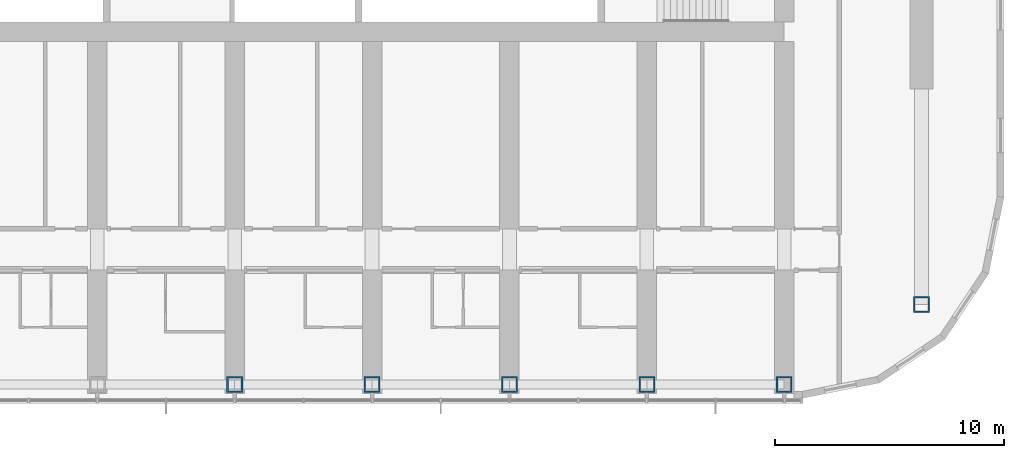
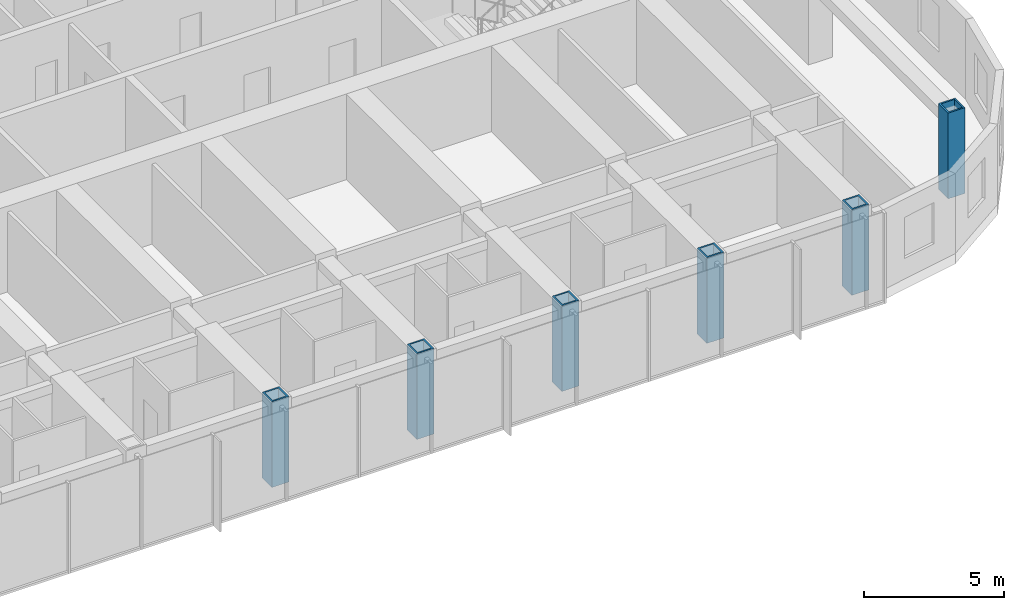
# One storey, part 3 of 29: 6 columns.
"""IFC4 building model written with IfcOpenShell, lengths in metres."""

from ifc_helpers import new_model, si_unit, direction, frame, origin, origin_2d, place, context, subcontext, project, spatial, hollow_rectangle, extrude, material, material_profile, profile_set, type_object, element, save


model = new_model("IFC4")

# Units and contexts
model_context = context("Model", 3, precision=1e-05, world=origin(), true_north=direction((0.0, 1.0)))
body_context = subcontext(model_context, "Body", "Model", "MODEL_VIEW")
ifc_project = project(units=[si_unit("LENGTHUNIT", "METRE"), si_unit("AREAUNIT", "SQUARE_METRE"), si_unit("VOLUMEUNIT", "CUBIC_METRE"), si_unit("PLANEANGLEUNIT", "RADIAN"), si_unit("MASSUNIT", "GRAM", prefix="KILO")], contexts=[model_context])

# Site, building, storey
site_placement = place(None, origin())
site = spatial("IfcSite", under=ifc_project, at=site_placement, CompositionType="ELEMENT")
building_placement = place(site_placement, origin())
building = spatial("IfcBuilding", under=site, at=building_placement, Name="Orbita Commons", CompositionType="ELEMENT")
storey_placement = place(building_placement, frame((0.0, 0.0, 148.60009765625)))
storey = spatial("IfcBuildingStorey", under=building, at=storey_placement, Name="L36", CompositionType="ELEMENT", Elevation=148.60009765625)

# Columns
ifc_material = material(Name="Steel ASTM A572 Gr 50 welded plate", Category="steel")
ifc_material_profile = material_profile(ifc_material, hollow_rectangle(XDim=0.699951171875, YDim=0.699951171875, WallThickness=0.070068359375, at=origin_2d()), Name="BOX 700x700x70")
ifc_profile_set = profile_set([ifc_material_profile], Name="Steel ASTM A572 Gr 50 welded plate")
column_type = type_object("IfcColumnType", Name="Steel column BOX 700x700x70", PredefinedType="COLUMN", material=ifc_profile_set)
for number, where, z_axis, x_axis, name in (
    (1, (42.0, 10.39990234375, 0.0), (0.0, 0.0, 1.0), (1.0, 0.0, 0.0), "Column 8/B L36"),
    (2, (48.0, 10.39990234375, 0.0), (0.0, 0.0, 1.0), (1.0, 0.0, 0.0), "Column 9/B L36"),
    (3, (54.0, 10.39990234375, 0.0), (0.0, 0.0, 1.0), (1.0, 0.0, 0.0), "Column 10/B L36"),
    (4, (60.0, 10.39990234375, 0.0), (0.0, 0.0, 1.0), (1.0, 0.0, 0.0), "Column 11/B L36"),
    (5, (66.0, 10.39990234375, 0.0), (0.0, 0.0, 1.0), (1.0, 0.0, 0.0), "Column 12/B L36"),
    (6, (72.0, 13.89990234375, 0.0), (0.0, 0.0, 1.0), (1.0, 0.0, 0.0), "Column 13/13.9 L36"),
):
    element("IfcColumn", number, at=place(storey_placement, frame(where, z_axis=z_axis, x_axis=x_axis)), inside=storey, type_object=column_type, Name=name, PredefinedType="COLUMN", context=body_context, shape_type="SweptSolid", body=[
        extrude(hollow_rectangle(XDim=0.699951171875, YDim=0.699951171875, WallThickness=0.070068359375, at=origin_2d()), origin(), (0.0, 0.0, 1.0), 3.75),
    ])

save(model, "model.ifc")
